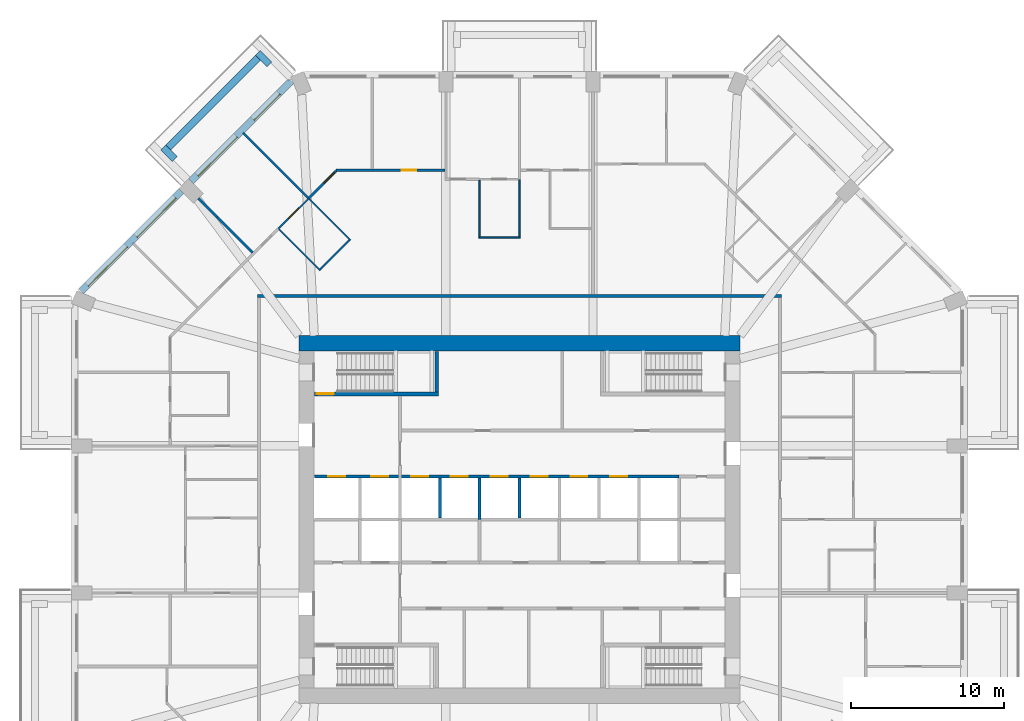
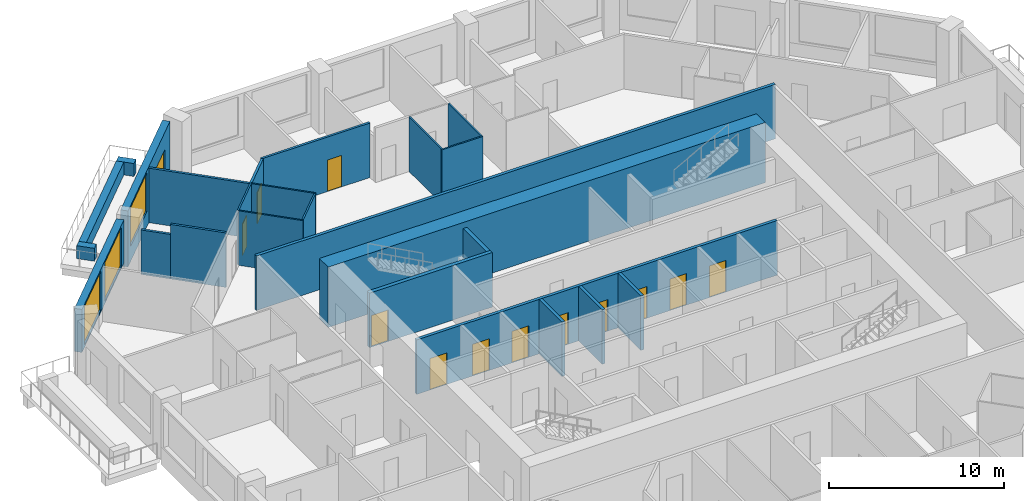
# One storey, part 8 of 13: 25 walls, 13 doors, 3 windows, 16 openings.
"""IFC4 building model written with IfcOpenShell, lengths in metres."""

from ifc_helpers import new_model, si_unit, direction, frame, frame_2d, origin, place, context, subcontext, project, spatial, rectangle, extrude, material, layer, layer_set, type_object, element, fill, save


model = new_model("IFC4")

# Units and contexts
model_context = context("Model", 3, precision=1e-05, world=origin(), true_north=direction((0.0, 1.0)))
body_context = subcontext(model_context, "Body", "Model", "MODEL_VIEW")
ifc_project = project(units=[si_unit("LENGTHUNIT", "METRE"), si_unit("AREAUNIT", "SQUARE_METRE"), si_unit("VOLUMEUNIT", "CUBIC_METRE"), si_unit("PLANEANGLEUNIT", "RADIAN"), si_unit("MASSUNIT", "GRAM", prefix="KILO")], contexts=[model_context])

# Site, building, storey
site_placement = place(None, origin())
site = spatial("IfcSite", under=ifc_project, at=site_placement, CompositionType="ELEMENT")
building_placement = place(site_placement, origin())
building = spatial("IfcBuilding", under=site, at=building_placement, Name="Msitu Wima Residences", CompositionType="ELEMENT")
storey_placement = place(building_placement, frame((0.0, 0.0, 96.89990234375)))
storey = spatial("IfcBuildingStorey", under=building, at=storey_placement, Name="L22", CompositionType="ELEMENT", Elevation=96.89990234375)

# Walls
ifc_material_1 = material(Name="Facing brick")
ifc_layer_1 = layer(ifc_material_1, 0.06494140625, Name="Facing brick")
ifc_material_2 = material(Name="Concrete C40/50", Category="concrete")
ifc_layer_2 = layer(ifc_material_2, 0.156005859375, Name="Concrete C40/50")
ifc_material_3 = material(Name="Waterproofing membrane")
ifc_layer_3 = layer(ifc_material_3, 0.00390625, Name="Waterproofing membrane")
ifc_material_4 = material(Name="Planting soil and planting")
ifc_layer_4 = layer(ifc_material_4, 0.22509765625, Name="Planting soil and planting")
ifc_layer_set_1 = layer_set([ifc_layer_1, ifc_layer_2, ifc_layer_3, ifc_layer_4], Name="Concrete C40/50")
wall_type_1 = type_object("IfcWallType", Name="Balcony planter PLANTER PL450", PredefinedType="USERDEFINED", material=ifc_layer_set_1)
wall_1_placement = place(storey_placement, frame((-17.0693359375, 30.125732421875, 0.0), z_axis=(0.0, 0.0, 1.0), x_axis=(-0.707106781187, -0.707106781187, 0.0)))
element("IfcWall", 1, at=wall_1_placement, inside=storey, type_object=wall_type_1, Name="Balcony planter NW0 L22", ObjectType="PLANTER", PredefinedType="USERDEFINED", context=body_context, shape_type="SweptSolid", body=[
    extrude(rectangle(XDim=8.2822265625, YDim=0.449951171875, at=frame_2d((4.14111328125, 0.0))), origin(), (0.0, 0.0, 1.0), 0.900146484375),
])
for number, where, z_axis, x_axis, name in (
    (2, (-16.326904296875, 29.70166015625, 0.0), (0.0, 0.0, 1.0), (-0.707106781187, 0.707106781187, 0.0), "Balcony planter NW0 L22"),
    (3, (-22.50146484375, 23.52685546875, 0.0), (0.0, 0.0, 1.0), (-0.707223014731, 0.706990528533, 0.0), "Balcony planter NW0 L22"),
):
    element("IfcWall", number, at=place(storey_placement, frame(where, z_axis=z_axis, x_axis=x_axis)), inside=storey, type_object=wall_type_1, Name=name, ObjectType="PLANTER", PredefinedType="USERDEFINED", context=body_context, shape_type="SweptSolid", body=[
        extrude(rectangle(XDim=1.050048828125, YDim=0.449951171875, at=frame_2d((0.52490234375, 0.0))), origin(), (0.0, 0.0, 1.0), 0.900146484375),
    ])

# Wall, openings, door, window
ifc_material_5 = material(Name="Brick (red buff mix)", Category="masonry")
ifc_layer_5 = layer(ifc_material_5, 0.449951171875)
ifc_layer_set_2 = layer_set([ifc_layer_5], Name="Brick (red buff mix)")
wall_type_2 = type_object("IfcWallType", Name="Brick infill wall BW450", PredefinedType="SOLIDWALL", material=ifc_layer_set_2)
wall_2_placement = place(storey_placement, frame((-14.903564453125, 28.61474609375, 0.0), z_axis=(0.0, 0.0, 1.0), x_axis=(-0.707106781187, -0.707106781187, 0.0)))
wall_2 = element("IfcWall", 4, at=wall_2_placement, inside=storey, type_object=wall_type_2, Name="Brick infill wall L22 NW0", PredefinedType="SOLIDWALL", context=body_context, shape_type="SweptSolid", body=[
    extrude(rectangle(XDim=9.2451171875, YDim=0.449951171875, at=frame_2d((4.62255859375, 0.0))), origin(), (0.0, 0.0, 1.0), 3.900146484375),
])
opening_1_placement = place(wall_2_placement, frame((1.111328125, 0.0, 0.0)))
opening_1 = element("IfcOpeningElement", 5, at=opening_1_placement, cuts=wall_2, Name="Opening D22.005", PredefinedType="OPENING", context=body_context, shape_type="SweptSolid", body=[
    extrude(rectangle(XDim=2.39990234375, YDim=2.699951171875, at=frame_2d((1.199951171875, 1.35009765625))), frame((0.0, 0.23486328125, 0.0), z_axis=(0.0, -1.0, 0.0), x_axis=(1.0, 0.0, 0.0)), (0.0, 0.0, 1.0), 0.469970703125),
])
opening_2_placement = place(wall_2_placement, frame((5.072509765625, 0.0, 1.050048828125)))
opening_2 = element("IfcOpeningElement", 6, at=opening_2_placement, cuts=wall_2, Name="Opening W22.013", PredefinedType="OPENING", context=body_context, shape_type="SweptSolid", body=[
    extrude(rectangle(XDim=3.60009765625, YDim=2.699951171875, at=frame_2d((1.800048828125, 1.35009765625))), frame((0.0, 0.23486328125, 0.0), z_axis=(0.0, -1.0, 0.0), x_axis=(1.0, 0.0, 0.0)), (0.0, 0.0, 1.0), 0.469970703125),
])
ifc_material_6 = material(Name="Anodised aluminium, bronze finish, clear low-emissivity double glazing", Category="aluminium")
door_type_1 = type_object("IfcDoorType", Name="Balcony door D2400x2700", OperationType="SLIDING_TO_LEFT", PredefinedType="DOOR", material=ifc_material_6)
door_1_placement = place(opening_1_placement, origin())
door_1 = element("IfcDoor", 7, at=door_1_placement, inside=storey, type_object=door_type_1, Name="Balcony door L22 NW0", OperationType="SINGLE_SWING_LEFT", OverallHeight=2.699951171875, OverallWidth=2.39990234375, PredefinedType="DOOR", context=body_context, shape_type="SweptSolid", body=[
    extrude(rectangle(XDim=2.39990234375, YDim=2.699951171875, at=frame_2d((1.199951171875, 1.35009765625))), frame((0.0, 0.1298828125, 0.0), z_axis=(0.0, -1.0, 0.0), x_axis=(1.0, 0.0, 0.0)), (0.0, 0.0, 1.0), 0.050048828125),
])
fill(opening_1, door_1)
window_type = type_object("IfcWindowType", Name="Window W3600x2700", PartitioningType="DOUBLE_PANEL_VERTICAL", PredefinedType="WINDOW", material=ifc_material_6)
window_1_placement = place(opening_2_placement, origin())
window_1 = element("IfcWindow", 8, at=window_1_placement, inside=storey, type_object=window_type, Name="Window L22 NW0.2", OverallHeight=2.699951171875, OverallWidth=3.60009765625, PartitioningType="SINGLE_PANEL", PredefinedType="WINDOW", context=body_context, shape_type="SweptSolid", body=[
    extrude(rectangle(XDim=3.60009765625, YDim=2.699951171875, at=frame_2d((1.800048828125, 1.35009765625))), frame((0.0, 0.135009765625, 0.0), z_axis=(0.0, -1.0, 0.0), x_axis=(1.0, 0.0, 0.0)), (0.0, 0.0, 1.0), 0.06005859375),
])
fill(opening_2, window_1)

# Wall, openings, windows
wall_3_placement = place(storey_placement, frame((-22.077392578125, 21.44091796875, 0.900146484375), z_axis=(0.0, 0.0, 1.0), x_axis=(-0.707106781187, -0.707106781187, 0.0)))
wall_3 = element("IfcWall", 9, at=wall_3_placement, inside=storey, type_object=wall_type_2, Name="Brick infill wall L22 NW1", PredefinedType="SOLIDWALL", context=body_context, shape_type="SweptSolid", body=[
    extrude(rectangle(XDim=9.2451171875, YDim=0.449951171875, at=frame_2d((4.62255859375, 0.0))), origin(), (0.0, 0.0, 1.0), 3.0),
])
opening_3_placement = place(wall_3_placement, frame((0.572509765625, 0.0, 0.14990234375)))
opening_3 = element("IfcOpeningElement", 10, at=opening_3_placement, cuts=wall_3, Name="Opening W22.014", PredefinedType="OPENING", context=body_context, shape_type="SweptSolid", body=[
    extrude(rectangle(XDim=3.60009765625, YDim=2.699951171875, at=frame_2d((1.800048828125, 1.35009765625))), frame((0.0, 0.23486328125, 0.0), z_axis=(0.0, -1.0, 0.0), x_axis=(1.0, 0.0, 0.0)), (0.0, 0.0, 1.0), 0.469970703125),
])
opening_4_placement = place(wall_3_placement, frame((5.072509765625, 0.0, 0.14990234375)))
opening_4 = element("IfcOpeningElement", 11, at=opening_4_placement, cuts=wall_3, Name="Opening W22.015", PredefinedType="OPENING", context=body_context, shape_type="SweptSolid", body=[
    extrude(rectangle(XDim=3.60009765625, YDim=2.699951171875, at=frame_2d((1.800048828125, 1.35009765625))), frame((0.0, 0.23486328125, 0.0), z_axis=(0.0, -1.0, 0.0), x_axis=(1.0, 0.0, 0.0)), (0.0, 0.0, 1.0), 0.469970703125),
])
window_2_placement = place(opening_3_placement, origin())
window_2 = element("IfcWindow", 12, at=window_2_placement, inside=storey, type_object=window_type, Name="Window L22 NW1.1", OverallHeight=2.699951171875, OverallWidth=3.60009765625, PartitioningType="SINGLE_PANEL", PredefinedType="WINDOW", context=body_context, shape_type="SweptSolid", body=[
    extrude(rectangle(XDim=3.60009765625, YDim=2.699951171875, at=frame_2d((1.800048828125, 1.35009765625))), frame((0.0, 0.135009765625, 0.0), z_axis=(0.0, -1.0, 0.0), x_axis=(1.0, 0.0, 0.0)), (0.0, 0.0, 1.0), 0.06005859375),
])
fill(opening_3, window_2)
window_3_placement = place(opening_4_placement, origin())
window_3 = element("IfcWindow", 13, at=window_3_placement, inside=storey, type_object=window_type, Name="Window L22 NW1.2", OverallHeight=2.699951171875, OverallWidth=3.60009765625, PartitioningType="SINGLE_PANEL", PredefinedType="WINDOW", context=body_context, shape_type="SweptSolid", body=[
    extrude(rectangle(XDim=3.60009765625, YDim=2.699951171875, at=frame_2d((1.800048828125, 1.35009765625))), frame((0.0, 0.135009765625, 0.0), z_axis=(0.0, -1.0, 0.0), x_axis=(1.0, 0.0, 0.0)), (0.0, 0.0, 1.0), 0.06005859375),
])
fill(opening_4, window_3)

# Walls
ifc_material_7 = material(Name="Concrete C80/95", Category="concrete")
ifc_layer_6 = layer(ifc_material_7, 1.0)
ifc_layer_set_3 = layer_set([ifc_layer_6], Name="Concrete C80/95")
wall_type_3 = type_object("IfcWallType", Name="Core wall CW1000 C80/95", PredefinedType="SHEAR", material=ifc_layer_set_3)
wall_4_placement = place(storey_placement, frame((-14.39990234375, 11.5, 0.0), z_axis=(0.0, 0.0, 1.0), x_axis=(1.0, 0.0, 0.0)))
element("IfcWall", 14, at=wall_4_placement, inside=storey, type_object=wall_type_3, Name="Core wall", PredefinedType="SHEAR", context=body_context, shape_type="SweptSolid", body=[
    extrude(rectangle(XDim=28.7998046875, YDim=1.0, at=frame_2d((14.39990234375, 0.0))), origin(), (0.0, 0.0, 1.0), 4.2001953125),
])
ifc_material_8 = material(Name="Plaster")
ifc_layer_7 = layer(ifc_material_8, 0.011962890625, Name="Plaster")
ifc_material_9 = material(Name="Concrete blockwork", Category="masonry")
ifc_layer_8 = layer(ifc_material_9, 0.176025390625, Name="Concrete blockwork")
ifc_layer_9 = layer(ifc_material_8, 0.011962890625, Name="Plaster")
ifc_layer_set_4 = layer_set([ifc_layer_7, ifc_layer_8, ifc_layer_9], Name="Concrete blockwork")
wall_type_4 = type_object("IfcWallType", Name="Corridor wall FW200", PredefinedType="PARTITIONING", material=ifc_layer_set_4)
wall_5_placement = place(storey_placement, frame((-17.10009765625, 14.60009765625, 0.0), z_axis=(0.0, 0.0, 1.0), x_axis=(1.0, 0.0, 0.0)))
element("IfcWall", 15, at=wall_5_placement, inside=storey, type_object=wall_type_4, Name="Corridor wall", PredefinedType="PARTITIONING", context=body_context, shape_type="SweptSolid", body=[
    extrude(rectangle(XDim=34.2001953125, YDim=0.199951171875, at=frame_2d((17.10009765625, 0.0))), origin(), (0.0, 0.0, 1.0), 3.798095703125),
])
ifc_layer_10 = layer(ifc_material_8, 0.011962890625, Name="Plaster")
ifc_layer_11 = layer(ifc_material_9, 0.1259765625, Name="Concrete blockwork")
ifc_layer_12 = layer(ifc_material_8, 0.011962890625, Name="Plaster")
ifc_layer_set_5 = layer_set([ifc_layer_10, ifc_layer_11, ifc_layer_12], Name="Concrete blockwork")
wall_type_5 = type_object("IfcWallType", Name="Partition PW150", PredefinedType="PARTITIONING", material=ifc_layer_set_5)
wall_6_placement = place(storey_placement, frame((-20.963623046875, 20.963623046875, 0.0), z_axis=(0.0, 0.0, 1.0), x_axis=(0.707106781187, -0.707106781187, 0.0)))
element("IfcWall", 16, at=wall_6_placement, inside=storey, type_object=wall_type_5, Name="Partition", PredefinedType="PARTITIONING", context=body_context, shape_type="SweptSolid", body=[
    extrude(rectangle(XDim=1.74853515625, YDim=0.14990234375, at=frame_2d((0.874267578125, 0.0))), origin(), (0.0, 0.0, 1.0), 3.10009765625),
])
wall_7_placement = place(storey_placement, frame((-19.727294921875, 19.727294921875, 0.0), z_axis=(0.0, 0.0, 1.0), x_axis=(0.707106781187, -0.707106781187, 0.0)))
element("IfcWall", 17, at=wall_7_placement, inside=storey, type_object=wall_type_5, Name="Partition", PredefinedType="PARTITIONING", context=body_context, shape_type="SweptSolid", body=[
    extrude(rectangle(XDim=3.276611328125, YDim=0.14990234375, at=frame_2d((1.63818359375, 0.0))), origin(), (0.0, 0.0, 1.0), 3.798095703125),
])
wall_8_placement = place(storey_placement, frame((-18.038818359375, 25.23876953125, 0.0), z_axis=(0.0, 0.0, 1.0), x_axis=(0.707106781187, -0.707106781187, 0.0)))
element("IfcWall", 18, at=wall_8_placement, inside=storey, type_object=wall_type_5, Name="Partition", PredefinedType="PARTITIONING", context=body_context, shape_type="SweptSolid", body=[
    extrude(rectangle(XDim=6.074951171875, YDim=0.14990234375, at=frame_2d((3.03759765625, 0.0))), origin(), (0.0, 0.0, 1.0), 3.798095703125),
])

# Wall, opening, door
wall_9_placement = place(storey_placement, frame((-13.7431640625, 20.971435546875, 0.0), z_axis=(0.0, 0.0, 1.0), x_axis=(0.707058164405, 0.707155394626, 0.0)))
wall_9 = element("IfcWall", 19, at=wall_9_placement, inside=storey, type_object=wall_type_5, Name="Partition", PredefinedType="PARTITIONING", context=body_context, shape_type="SweptSolid", body=[
    extrude(rectangle(XDim=2.510986328125, YDim=0.14990234375, at=frame_2d((1.25537109375, 0.0))), origin(), (0.0, 0.0, 1.0), 3.798095703125),
])
opening_5_placement = place(wall_9_placement, frame((1.39990234375, 0.0, 0.0)))
opening_5 = element("IfcOpeningElement", 20, at=opening_5_placement, cuts=wall_9, Name="Opening D22.063", PredefinedType="OPENING", context=body_context, shape_type="SweptSolid", body=[
    extrude(rectangle(XDim=0.949951171875, YDim=2.199951171875, at=frame_2d((0.47509765625, 1.10009765625))), frame((0.0, 0.0849609375, 0.0), z_axis=(0.0, -1.0, 0.0), x_axis=(1.0, 0.0, 0.0)), (0.0, 0.0, 1.0), 0.169921875),
])
ifc_material_10 = material(Name="Timber flush door", Category="wood")
door_type_2 = type_object("IfcDoorType", Name="Room door D12 950x2200", OperationType="SINGLE_SWING_LEFT", PredefinedType="DOOR", material=ifc_material_10)
door_2_placement = place(opening_5_placement, origin())
door_2 = element("IfcDoor", 21, at=door_2_placement, inside=storey, type_object=door_type_2, Name="Room door", OperationType="SINGLE_SWING_LEFT", OverallHeight=2.199951171875, OverallWidth=0.949951171875, PredefinedType="DOOR", context=body_context, shape_type="SweptSolid", body=[
    extrude(rectangle(XDim=0.949951171875, YDim=2.199951171875, at=frame_2d((0.47509765625, 1.10009765625))), frame((0.0, 0.02490234375, 0.0), z_axis=(0.0, -1.0, 0.0), x_axis=(1.0, 0.0, 0.0)), (0.0, 0.0, 1.0), 0.050048828125),
])
fill(opening_5, door_2)

wall_10_placement = place(storey_placement, frame((-11.98974609375, 22.800048828125, 0.0), z_axis=(0.0, 0.0, 1.0), x_axis=(1.0, 0.0, 0.0)))
wall_10 = element("IfcWall", 22, at=wall_10_placement, inside=storey, type_object=wall_type_5, Name="Partition", PredefinedType="PARTITIONING", context=body_context, shape_type="SweptSolid", body=[
    extrude(rectangle(XDim=7.11474609375, YDim=0.14990234375, at=frame_2d((3.557373046875, 0.0))), origin(), (0.0, 0.0, 1.0), 3.798095703125),
])
opening_6_placement = place(wall_10_placement, frame((4.300048828125, 0.0, 0.0)))
opening_6 = element("IfcOpeningElement", 23, at=opening_6_placement, cuts=wall_10, Name="Opening D22.052", PredefinedType="OPENING", context=body_context, shape_type="SweptSolid", body=[
    extrude(rectangle(XDim=0.949951171875, YDim=2.199951171875, at=frame_2d((0.47509765625, 1.10009765625))), frame((0.0, 0.0849609375, 0.0), z_axis=(0.0, -1.0, 0.0), x_axis=(1.0, 0.0, 0.0)), (0.0, 0.0, 1.0), 0.169921875),
])
door_3_placement = place(opening_6_placement, origin())
door_3 = element("IfcDoor", 24, at=door_3_placement, inside=storey, type_object=door_type_2, Name="Room door", OperationType="SINGLE_SWING_LEFT", OverallHeight=2.199951171875, OverallWidth=0.949951171875, PredefinedType="DOOR", context=body_context, shape_type="SweptSolid", body=[
    extrude(rectangle(XDim=0.949951171875, YDim=2.199951171875, at=frame_2d((0.47509765625, 1.10009765625))), frame((0.0, 0.02490234375, 0.0), z_axis=(0.0, -1.0, 0.0), x_axis=(1.0, 0.0, 0.0)), (0.0, 0.0, 1.0), 0.050048828125),
])
fill(opening_6, door_3)

# Wall, openings, doors
ifc_material_11 = material(Name="Fire-rated board")
ifc_layer_13 = layer(ifc_material_11, 0.02490234375, Name="Fire-rated board")
ifc_material_12 = material(Name="Light-gauge stud framing with mineral wool")
ifc_layer_14 = layer(ifc_material_12, 0.14990234375, Name="Light-gauge stud framing with mineral wool")
ifc_layer_15 = layer(ifc_material_11, 0.02490234375, Name="Fire-rated board")
ifc_layer_set_6 = layer_set([ifc_layer_13, ifc_layer_14, ifc_layer_15], Name="Light-gauge stud framing with mineral wool")
wall_type_6 = type_object("IfcWallType", Name="Shaft wall SH200", PredefinedType="PARTITIONING", material=ifc_layer_set_6)
wall_11_placement = place(storey_placement, frame((-13.3701171875, 2.800048828125, 0.0), z_axis=(0.0, 0.0, 1.0), x_axis=(1.0, 0.0, 0.0)))
wall_11 = element("IfcWall", 25, at=wall_11_placement, inside=storey, type_object=wall_type_6, Name="Shaft wall", PredefinedType="PARTITIONING", context=body_context, shape_type="SweptSolid", body=[
    extrude(rectangle(XDim=23.77001953125, YDim=0.199951171875, at=frame_2d((11.885009765625, 0.0))), origin(), (0.0, 0.0, 1.0), 3.798095703125),
])
opening_7_placement = place(wall_11_placement, frame((0.89990234375, 0.0, 0.0)))
opening_7 = element("IfcOpeningElement", 26, at=opening_7_placement, cuts=wall_11, Name="Opening LD", PredefinedType="OPENING", context=body_context, shape_type="SweptSolid", body=[
    extrude(rectangle(XDim=1.10009765625, YDim=2.199951171875, at=frame_2d((0.550048828125, 1.10009765625))), frame((0.0, 0.10986328125, 0.0), z_axis=(0.0, -1.0, 0.0), x_axis=(1.0, 0.0, 0.0)), (0.0, 0.0, 1.0), 0.219970703125),
])
opening_8_placement = place(wall_11_placement, frame((3.699951171875, 0.0, 0.0)))
opening_8 = element("IfcOpeningElement", 27, at=opening_8_placement, cuts=wall_11, Name="Opening LD", PredefinedType="OPENING", context=body_context, shape_type="SweptSolid", body=[
    extrude(rectangle(XDim=1.10009765625, YDim=2.199951171875, at=frame_2d((0.550048828125, 1.10009765625))), frame((0.0, 0.10986328125, 0.0), z_axis=(0.0, -1.0, 0.0), x_axis=(1.0, 0.0, 0.0)), (0.0, 0.0, 1.0), 0.219970703125),
])
opening_9_placement = place(wall_11_placement, frame((6.300048828125, 0.0, 0.0)))
opening_9 = element("IfcOpeningElement", 28, at=opening_9_placement, cuts=wall_11, Name="Opening LD", PredefinedType="OPENING", context=body_context, shape_type="SweptSolid", body=[
    extrude(rectangle(XDim=1.10009765625, YDim=2.199951171875, at=frame_2d((0.550048828125, 1.10009765625))), frame((0.0, 0.10986328125, 0.0), z_axis=(0.0, -1.0, 0.0), x_axis=(1.0, 0.0, 0.0)), (0.0, 0.0, 1.0), 0.219970703125),
])
opening_10_placement = place(wall_11_placement, frame((8.89990234375, 0.0, 0.0)))
opening_10 = element("IfcOpeningElement", 29, at=opening_10_placement, cuts=wall_11, Name="Opening LD", PredefinedType="OPENING", context=body_context, shape_type="SweptSolid", body=[
    extrude(rectangle(XDim=1.10009765625, YDim=2.199951171875, at=frame_2d((0.550048828125, 1.10009765625))), frame((0.0, 0.10986328125, 0.0), z_axis=(0.0, -1.0, 0.0), x_axis=(1.0, 0.0, 0.0)), (0.0, 0.0, 1.0), 0.219970703125),
])
opening_11_placement = place(wall_11_placement, frame((11.5, 0.0, 0.0)))
opening_11 = element("IfcOpeningElement", 30, at=opening_11_placement, cuts=wall_11, Name="Opening LD", PredefinedType="OPENING", context=body_context, shape_type="SweptSolid", body=[
    extrude(rectangle(XDim=1.10009765625, YDim=2.199951171875, at=frame_2d((0.550048828125, 1.10009765625))), frame((0.0, 0.10986328125, 0.0), z_axis=(0.0, -1.0, 0.0), x_axis=(1.0, 0.0, 0.0)), (0.0, 0.0, 1.0), 0.219970703125),
])
opening_12_placement = place(wall_11_placement, frame((14.10009765625, 0.0, 0.0)))
opening_12 = element("IfcOpeningElement", 31, at=opening_12_placement, cuts=wall_11, Name="Opening LD", PredefinedType="OPENING", context=body_context, shape_type="SweptSolid", body=[
    extrude(rectangle(XDim=1.10009765625, YDim=2.199951171875, at=frame_2d((0.550048828125, 1.10009765625))), frame((0.0, 0.10986328125, 0.0), z_axis=(0.0, -1.0, 0.0), x_axis=(1.0, 0.0, 0.0)), (0.0, 0.0, 1.0), 0.219970703125),
])
opening_13_placement = place(wall_11_placement, frame((16.699951171875, 0.0, 0.0)))
opening_13 = element("IfcOpeningElement", 32, at=opening_13_placement, cuts=wall_11, Name="Opening LD", PredefinedType="OPENING", context=body_context, shape_type="SweptSolid", body=[
    extrude(rectangle(XDim=1.10009765625, YDim=2.199951171875, at=frame_2d((0.550048828125, 1.10009765625))), frame((0.0, 0.10986328125, 0.0), z_axis=(0.0, -1.0, 0.0), x_axis=(1.0, 0.0, 0.0)), (0.0, 0.0, 1.0), 0.219970703125),
])
opening_14_placement = place(wall_11_placement, frame((19.300048828125, 0.0, 0.0)))
opening_14 = element("IfcOpeningElement", 33, at=opening_14_placement, cuts=wall_11, Name="Opening LD", PredefinedType="OPENING", context=body_context, shape_type="SweptSolid", body=[
    extrude(rectangle(XDim=1.10009765625, YDim=2.199951171875, at=frame_2d((0.550048828125, 1.10009765625))), frame((0.0, 0.10986328125, 0.0), z_axis=(0.0, -1.0, 0.0), x_axis=(1.0, 0.0, 0.0)), (0.0, 0.0, 1.0), 0.219970703125),
])
ifc_material_13 = material(Name="Stainless steel centre-opening landing door, rated", Category="steel")
door_type_3 = type_object("IfcDoorType", Name="Lift landing door LD 1100x2200", OperationType="DOUBLE_DOOR_SLIDING", PredefinedType="DOOR", material=ifc_material_13)
door_4_placement = place(opening_7_placement, origin())
door_4 = element("IfcDoor", 34, at=door_4_placement, inside=storey, type_object=door_type_3, Name="Lift landing door LD1", OperationType="DOUBLE_DOOR_SLIDING", OverallHeight=2.199951171875, OverallWidth=1.10009765625, PredefinedType="DOOR", context=body_context, shape_type="SweptSolid", body=[
    extrude(rectangle(XDim=1.10009765625, YDim=2.199951171875, at=frame_2d((0.550048828125, 1.10009765625))), frame((0.0, 0.02490234375, 0.0), z_axis=(0.0, -1.0, 0.0), x_axis=(1.0, 0.0, 0.0)), (0.0, 0.0, 1.0), 0.050048828125),
])
fill(opening_7, door_4)
door_5_placement = place(opening_8_placement, origin())
door_5 = element("IfcDoor", 35, at=door_5_placement, inside=storey, type_object=door_type_3, Name="Lift landing door LD2", OperationType="DOUBLE_DOOR_SLIDING", OverallHeight=2.199951171875, OverallWidth=1.10009765625, PredefinedType="DOOR", context=body_context, shape_type="SweptSolid", body=[
    extrude(rectangle(XDim=1.10009765625, YDim=2.199951171875, at=frame_2d((0.550048828125, 1.10009765625))), frame((0.0, 0.02490234375, 0.0), z_axis=(0.0, -1.0, 0.0), x_axis=(1.0, 0.0, 0.0)), (0.0, 0.0, 1.0), 0.050048828125),
])
fill(opening_8, door_5)
door_6_placement = place(opening_9_placement, origin())
door_6 = element("IfcDoor", 36, at=door_6_placement, inside=storey, type_object=door_type_3, Name="Lift landing door LD4", OperationType="DOUBLE_DOOR_SLIDING", OverallHeight=2.199951171875, OverallWidth=1.10009765625, PredefinedType="DOOR", context=body_context, shape_type="SweptSolid", body=[
    extrude(rectangle(XDim=1.10009765625, YDim=2.199951171875, at=frame_2d((0.550048828125, 1.10009765625))), frame((0.0, 0.02490234375, 0.0), z_axis=(0.0, -1.0, 0.0), x_axis=(1.0, 0.0, 0.0)), (0.0, 0.0, 1.0), 0.050048828125),
])
fill(opening_9, door_6)
door_7_placement = place(opening_10_placement, origin())
door_7 = element("IfcDoor", 37, at=door_7_placement, inside=storey, type_object=door_type_3, Name="Lift landing door LD6", OperationType="DOUBLE_DOOR_SLIDING", OverallHeight=2.199951171875, OverallWidth=1.10009765625, PredefinedType="DOOR", context=body_context, shape_type="SweptSolid", body=[
    extrude(rectangle(XDim=1.10009765625, YDim=2.199951171875, at=frame_2d((0.550048828125, 1.10009765625))), frame((0.0, 0.02490234375, 0.0), z_axis=(0.0, -1.0, 0.0), x_axis=(1.0, 0.0, 0.0)), (0.0, 0.0, 1.0), 0.050048828125),
])
fill(opening_10, door_7)
door_8_placement = place(opening_11_placement, origin())
door_8 = element("IfcDoor", 38, at=door_8_placement, inside=storey, type_object=door_type_3, Name="Lift landing door LD8", OperationType="DOUBLE_DOOR_SLIDING", OverallHeight=2.199951171875, OverallWidth=1.10009765625, PredefinedType="DOOR", context=body_context, shape_type="SweptSolid", body=[
    extrude(rectangle(XDim=1.10009765625, YDim=2.199951171875, at=frame_2d((0.550048828125, 1.10009765625))), frame((0.0, 0.02490234375, 0.0), z_axis=(0.0, -1.0, 0.0), x_axis=(1.0, 0.0, 0.0)), (0.0, 0.0, 1.0), 0.050048828125),
])
fill(opening_11, door_8)
door_9_placement = place(opening_12_placement, origin())
door_9 = element("IfcDoor", 39, at=door_9_placement, inside=storey, type_object=door_type_3, Name="Lift landing door LD10", OperationType="DOUBLE_DOOR_SLIDING", OverallHeight=2.199951171875, OverallWidth=1.10009765625, PredefinedType="DOOR", context=body_context, shape_type="SweptSolid", body=[
    extrude(rectangle(XDim=1.10009765625, YDim=2.199951171875, at=frame_2d((0.550048828125, 1.10009765625))), frame((0.0, 0.02490234375, 0.0), z_axis=(0.0, -1.0, 0.0), x_axis=(1.0, 0.0, 0.0)), (0.0, 0.0, 1.0), 0.050048828125),
])
fill(opening_12, door_9)
door_10_placement = place(opening_13_placement, origin())
door_10 = element("IfcDoor", 40, at=door_10_placement, inside=storey, type_object=door_type_3, Name="Lift landing door LD12", OperationType="DOUBLE_DOOR_SLIDING", OverallHeight=2.199951171875, OverallWidth=1.10009765625, PredefinedType="DOOR", context=body_context, shape_type="SweptSolid", body=[
    extrude(rectangle(XDim=1.10009765625, YDim=2.199951171875, at=frame_2d((0.550048828125, 1.10009765625))), frame((0.0, 0.02490234375, 0.0), z_axis=(0.0, -1.0, 0.0), x_axis=(1.0, 0.0, 0.0)), (0.0, 0.0, 1.0), 0.050048828125),
])
fill(opening_13, door_10)
door_11_placement = place(opening_14_placement, origin())
door_11 = element("IfcDoor", 41, at=door_11_placement, inside=storey, type_object=door_type_3, Name="Lift landing door LD14", OperationType="DOUBLE_DOOR_SLIDING", OverallHeight=2.199951171875, OverallWidth=1.10009765625, PredefinedType="DOOR", context=body_context, shape_type="SweptSolid", body=[
    extrude(rectangle(XDim=1.10009765625, YDim=2.199951171875, at=frame_2d((0.550048828125, 1.10009765625))), frame((0.0, 0.02490234375, 0.0), z_axis=(0.0, -1.0, 0.0), x_axis=(1.0, 0.0, 0.0)), (0.0, 0.0, 1.0), 0.050048828125),
])
fill(opening_14, door_11)

# Walls
wall_12_placement = place(storey_placement, frame((-5.199951171875, 0.10009765625, 0.0), z_axis=(0.0, 0.0, 1.0), x_axis=(0.0, 1.0, 0.0)))
element("IfcWall", 42, at=wall_12_placement, inside=storey, type_object=wall_type_6, Name="Shaft wall", PredefinedType="PARTITIONING", context=body_context, shape_type="SweptSolid", body=[
    extrude(rectangle(XDim=2.599853515625, YDim=0.199951171875, at=frame_2d((1.2998046875, 0.0))), origin(), (0.0, 0.0, 1.0), 3.798095703125),
])
wall_13_placement = place(storey_placement, frame((-2.60009765625, 0.0, 0.0), z_axis=(0.0, 0.0, 1.0), x_axis=(0.0, 1.0, 0.0)))
element("IfcWall", 43, at=wall_13_placement, inside=storey, type_object=wall_type_6, Name="Shaft wall", PredefinedType="PARTITIONING", context=body_context, shape_type="SweptSolid", body=[
    extrude(rectangle(XDim=2.699951171875, YDim=0.199951171875, at=frame_2d((1.35009765625, 0.0))), origin(), (0.0, 0.0, 1.0), 3.798095703125),
])
wall_14_placement = place(storey_placement, frame((0.0, 0.10009765625, 0.0), z_axis=(0.0, 0.0, 1.0), x_axis=(0.0, 1.0, 0.0)))
element("IfcWall", 44, at=wall_14_placement, inside=storey, type_object=wall_type_6, Name="Shaft wall", PredefinedType="PARTITIONING", context=body_context, shape_type="SweptSolid", body=[
    extrude(rectangle(XDim=2.599853515625, YDim=0.199951171875, at=frame_2d((1.2998046875, 0.0))), origin(), (0.0, 0.0, 1.0), 3.798095703125),
])

# Wall, opening, door
ifc_material_14 = material(Name="Concrete C50/60", Category="concrete")
ifc_layer_16 = layer(ifc_material_14, 0.25)
ifc_layer_set_7 = layer_set([ifc_layer_16], Name="Concrete C50/60")
wall_type_7 = type_object("IfcWallType", Name="Stair enclosure wall SW250", PredefinedType="SHEAR", material=ifc_layer_set_7)
wall_15_placement = place(storey_placement, frame((-13.3701171875, 8.199951171875, 0.0), z_axis=(0.0, 0.0, 1.0), x_axis=(1.0, 0.0, 0.0)))
wall_15 = element("IfcWall", 45, at=wall_15_placement, inside=storey, type_object=wall_type_7, Name="Stair enclosure wall", PredefinedType="SHEAR", context=body_context, shape_type="SweptSolid", body=[
    extrude(rectangle(XDim=8.09521484375, YDim=0.25, at=frame_2d((4.047607421875, 0.0))), origin(), (0.0, 0.0, 1.0), 3.798095703125),
])
opening_15_placement = place(wall_15_placement, frame((0.14990234375, 0.0, 0.0)))
opening_15 = element("IfcOpeningElement", 46, at=opening_15_placement, cuts=wall_15, Name="Opening D22.035", PredefinedType="OPENING", context=body_context, shape_type="SweptSolid", body=[
    extrude(rectangle(XDim=1.10009765625, YDim=2.199951171875, at=frame_2d((0.550048828125, 1.10009765625))), frame((0.0, 0.135009765625, 0.0), z_axis=(0.0, -1.0, 0.0), x_axis=(1.0, 0.0, 0.0)), (0.0, 0.0, 1.0), 0.27001953125),
])
ifc_material_15 = material(Name="Steel door, fire resisting, panic bar", Category="steel")
door_type_4 = type_object("IfcDoorType", Name="Stair door D06 1100x2200", OperationType="SINGLE_SWING_LEFT", PredefinedType="DOOR", material=ifc_material_15)
door_12_placement = place(opening_15_placement, origin())
door_12 = element("IfcDoor", 47, at=door_12_placement, inside=storey, type_object=door_type_4, Name="Stair door", OperationType="SINGLE_SWING_LEFT", OverallHeight=2.199951171875, OverallWidth=1.10009765625, PredefinedType="DOOR", context=body_context, shape_type="SweptSolid", body=[
    extrude(rectangle(XDim=1.10009765625, YDim=2.199951171875, at=frame_2d((0.550048828125, 1.10009765625))), frame((0.0, 0.02490234375, 0.0), z_axis=(0.0, -1.0, 0.0), x_axis=(1.0, 0.0, 0.0)), (0.0, 0.0, 1.0), 0.050048828125),
])
fill(opening_15, door_12)

# Wall
wall_16_placement = place(storey_placement, frame((-5.39990234375, 8.324951171875, 0.0), z_axis=(0.0, 0.0, 1.0), x_axis=(0.0, 1.0, 0.0)))
element("IfcWall", 48, at=wall_16_placement, inside=storey, type_object=wall_type_7, Name="Stair enclosure wall", PredefinedType="SHEAR", context=body_context, shape_type="SweptSolid", body=[
    extrude(rectangle(XDim=2.64501953125, YDim=0.25, at=frame_2d((1.322509765625, 0.0))), origin(), (0.0, 0.0, 1.0), 3.798095703125),
])

# Wall, opening, door
ifc_material_16 = material(Name="Ceramic tiles")
ifc_layer_17 = layer(ifc_material_16, 0.008056640625, Name="Ceramic tiles")
ifc_material_17 = material(Name="Moisture-resistant board")
ifc_layer_18 = layer(ifc_material_17, 0.012451171875, Name="Moisture-resistant board")
ifc_layer_19 = layer(ifc_material_12, 0.06689453125, Name="Light-gauge stud framing with mineral wool")
ifc_layer_20 = layer(ifc_material_17, 0.012451171875, Name="Moisture-resistant board")
ifc_layer_set_8 = layer_set([ifc_layer_17, ifc_layer_18, ifc_layer_19, ifc_layer_20], Name="Light-gauge stud framing with mineral wool")
wall_type_8 = type_object("IfcWallType", Name="Wet wall PW100", PredefinedType="PARTITIONING", material=ifc_layer_set_8)
wall_17_placement = place(storey_placement, frame((-15.7373046875, 18.9775390625, 0.0), z_axis=(0.0, 0.0, 1.0), x_axis=(0.707150067696, 0.707063492027, 0.0)))
wall_17 = element("IfcWall", 49, at=wall_17_placement, inside=storey, type_object=wall_type_8, Name="Wet wall", PredefinedType="PARTITIONING", context=body_context, shape_type="SweptSolid", body=[
    extrude(rectangle(XDim=2.820068359375, YDim=0.10009765625, at=frame_2d((1.41015625, 0.0))), origin(), (0.0, 0.0, 1.0), 3.798095703125),
])
opening_16_placement = place(wall_17_placement, frame((0.949951171875, 0.0, 0.0)))
opening_16 = element("IfcOpeningElement", 50, at=opening_16_placement, cuts=wall_17, Name="Opening D22.055", PredefinedType="OPENING", context=body_context, shape_type="SweptSolid", body=[
    extrude(rectangle(XDim=0.89990234375, YDim=2.199951171875, at=frame_2d((0.449951171875, 1.10009765625))), frame((0.0, 0.06005859375, 0.0), z_axis=(0.0, -1.0, 0.0), x_axis=(1.0, 0.0, 0.0)), (0.0, 0.0, 1.0), 0.1201171875),
])
ifc_material_18 = material(Name="Timber flush door, moisture resistant", Category="wood")
door_type_5 = type_object("IfcDoorType", Name="Bathroom door D03 900x2200", OperationType="SINGLE_SWING_LEFT", PredefinedType="DOOR", material=ifc_material_18)
door_13_placement = place(opening_16_placement, origin())
door_13 = element("IfcDoor", 51, at=door_13_placement, inside=storey, type_object=door_type_5, Name="Bathroom door", OperationType="SINGLE_SWING_RIGHT", OverallHeight=2.199951171875, OverallWidth=0.89990234375, PredefinedType="DOOR", context=body_context, shape_type="SweptSolid", body=[
    extrude(rectangle(XDim=0.89990234375, YDim=2.199951171875, at=frame_2d((0.449951171875, 1.10009765625))), frame((0.0, 0.02490234375, 0.0), z_axis=(0.0, -1.0, 0.0), x_axis=(1.0, 0.0, 0.0)), (0.0, 0.0, 1.0), 0.050048828125),
])
fill(opening_16, door_13)

# Walls
wall_18_placement = place(storey_placement, frame((-15.701904296875, 18.942138671875, 0.0), z_axis=(0.0, 0.0, 1.0), x_axis=(0.707106781187, -0.707106781187, 0.0)))
element("IfcWall", 52, at=wall_18_placement, inside=storey, type_object=wall_type_8, Name="Wet wall", PredefinedType="PARTITIONING", context=body_context, shape_type="SweptSolid", body=[
    extrude(rectangle(XDim=3.800048828125, YDim=0.10009765625, at=frame_2d((1.89990234375, 0.0))), origin(), (0.0, 0.0, 1.0), 3.798095703125),
])
wall_19_placement = place(storey_placement, frame((-13.7431640625, 20.943115234375, 0.0), z_axis=(0.0, 0.0, 1.0), x_axis=(0.707138653661, -0.707074907275, 0.0)))
element("IfcWall", 53, at=wall_19_placement, inside=storey, type_object=wall_type_8, Name="Wet wall", PredefinedType="PARTITIONING", context=body_context, shape_type="SweptSolid", body=[
    extrude(rectangle(XDim=3.829833984375, YDim=0.10009765625, at=frame_2d((1.9150390625, 0.0))), origin(), (0.0, 0.0, 1.0), 3.798095703125),
])
wall_20_placement = place(storey_placement, frame((-13.014892578125, 16.325927734375, 0.0), z_axis=(0.0, 0.0, 1.0), x_axis=(0.707106781187, 0.707106781187, 0.0)))
element("IfcWall", 54, at=wall_20_placement, inside=storey, type_object=wall_type_8, Name="Wet wall", PredefinedType="PARTITIONING", context=body_context, shape_type="SweptSolid", body=[
    extrude(rectangle(XDim=2.699951171875, YDim=0.10009765625, at=frame_2d((1.35009765625, 0.0))), origin(), (0.0, 0.0, 1.0), 3.798095703125),
])
wall_21_placement = place(storey_placement, frame((-2.60009765625, 18.449951171875, 0.0), z_axis=(0.0, 0.0, 1.0), x_axis=(0.0, 1.0, 0.0)))
element("IfcWall", 55, at=wall_21_placement, inside=storey, type_object=wall_type_8, Name="Wet wall", PredefinedType="PARTITIONING", context=body_context, shape_type="SweptSolid", body=[
    extrude(rectangle(XDim=3.699951171875, YDim=0.10009765625, at=frame_2d((1.85009765625, 0.0))), origin(), (0.0, 0.0, 1.0), 3.798095703125),
])
wall_22_placement = place(storey_placement, frame((-2.64990234375, 18.39990234375, 0.0), z_axis=(0.0, 0.0, 1.0), x_axis=(1.0, 0.0, 0.0)))
element("IfcWall", 56, at=wall_22_placement, inside=storey, type_object=wall_type_8, Name="Wet wall", PredefinedType="PARTITIONING", context=body_context, shape_type="SweptSolid", body=[
    extrude(rectangle(XDim=2.699951171875, YDim=0.10009765625, at=frame_2d((1.35009765625, 0.0))), origin(), (0.0, 0.0, 1.0), 3.798095703125),
])
wall_23_placement = place(storey_placement, frame((0.0, 18.449951171875, 0.0), z_axis=(0.0, 0.0, 1.0), x_axis=(0.0, 1.0, 0.0)))
element("IfcWall", 57, at=wall_23_placement, inside=storey, type_object=wall_type_8, Name="Wet wall", PredefinedType="PARTITIONING", context=body_context, shape_type="SweptSolid", body=[
    extrude(rectangle(XDim=3.72998046875, YDim=0.10009765625, at=frame_2d((1.864990234375, 0.0))), origin(), (0.0, 0.0, 1.0), 3.798095703125),
])

save(model, "model.ifc")
